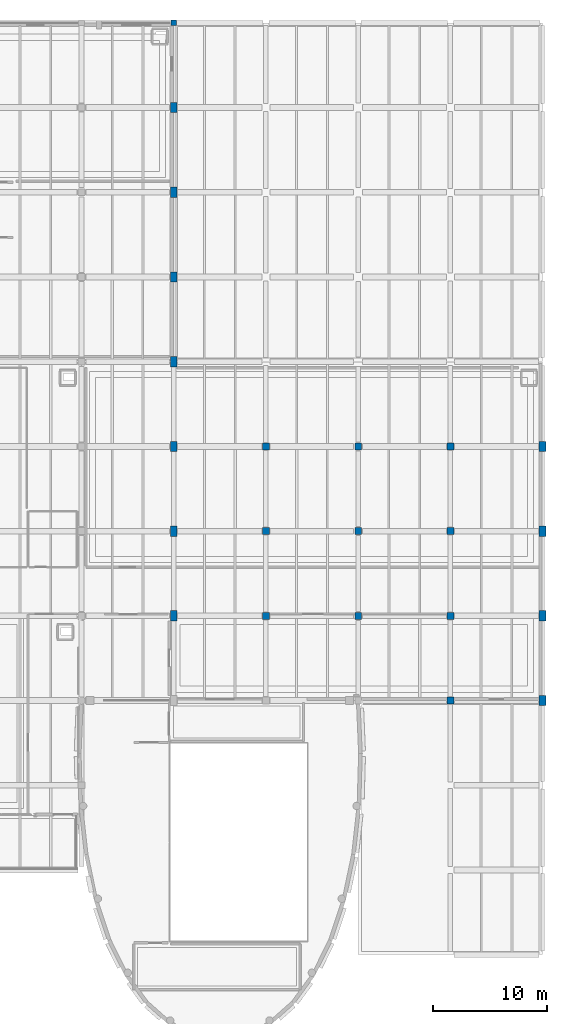
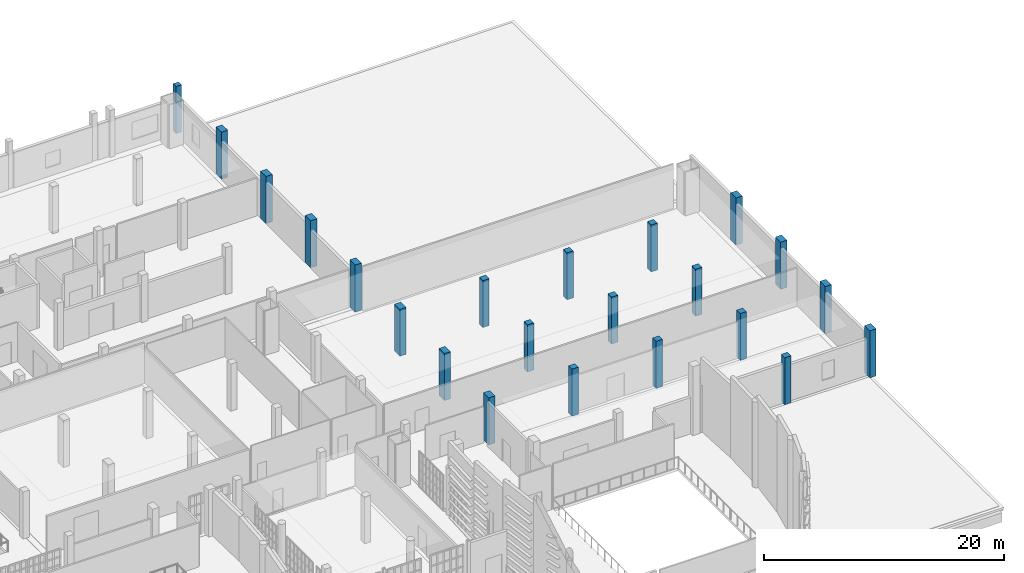
# One storey, part 8 of 104: 22 columns.
"""IFC4 building model written with IfcOpenShell, lengths in metres."""

from ifc_helpers import new_model, si_unit, direction, frame, origin, origin_2d, place, context, subcontext, project, spatial, rectangle, extrude, material, material_profile, profile_set, type_object, element, save


model = new_model("IFC4")

# Units and contexts
model_context = context("Model", 3, precision=1e-05, world=origin(), true_north=direction((0.0, 1.0)))
body_context = subcontext(model_context, "Body", "Model", "MODEL_VIEW")
ifc_project = project(units=[si_unit("LENGTHUNIT", "METRE"), si_unit("AREAUNIT", "SQUARE_METRE"), si_unit("VOLUMEUNIT", "CUBIC_METRE"), si_unit("PLANEANGLEUNIT", "RADIAN"), si_unit("MASSUNIT", "GRAM", prefix="KILO")], contexts=[model_context])

# Site, building, storey
site_placement = place(None, origin())
site = spatial("IfcSite", under=ifc_project, at=site_placement, CompositionType="ELEMENT")
building_placement = place(site_placement, origin())
building = spatial("IfcBuilding", under=site, at=building_placement, Name="Kaelora Sail Theatre", CompositionType="ELEMENT")
storey_placement = place(building_placement, frame((0.0, 0.0, 5.39990234375)))
storey = spatial("IfcBuildingStorey", under=building, at=storey_placement, Name="L01", CompositionType="ELEMENT", Elevation=5.39990234375)

# Columns
ifc_material_1 = material(Name="Concrete C40/50", Category="concrete")
ifc_material_profile_1 = material_profile(ifc_material_1, rectangle(XDim=0.5, YDim=0.5, at=origin_2d()), Name="RC-COL 500x500")
ifc_profile_set_1 = profile_set([ifc_material_profile_1], Name="Concrete C40/50")
column_type_1 = type_object("IfcColumnType", Name="STR-COL-C-RC500", PredefinedType="COLUMN", material=ifc_profile_set_1)
column_placement = place(storey_placement, frame((131.10009765625, 113.10009765625, 0.0), z_axis=(0.0, 0.0, 1.0), x_axis=(1.0, 0.0, 0.0)))
element("IfcColumn", 1, at=column_placement, inside=storey, type_object=column_type_1, Name="Column 17/P (L01)", PredefinedType="COLUMN", context=body_context, shape_type="SweptSolid", body=[
    extrude(rectangle(XDim=0.5, YDim=0.5, at=origin_2d()), origin(), (0.0, 0.0, 1.0), 4.800048828125),
])
ifc_material_2 = material(Name="Concrete C40/50", Category="concrete")
ifc_material_profile_2 = material_profile(ifc_material_2, rectangle(XDim=0.60009765625, YDim=0.60009765625, at=origin_2d()), Name="RC-COL 600x600")
ifc_profile_set_2 = profile_set([ifc_material_profile_2], Name="Concrete C40/50")
column_type_2 = type_object("IfcColumnType", Name="STR-COL-C-RC600", PredefinedType="COLUMN", material=ifc_profile_set_2)
for number, where, z_axis, x_axis, name in (
    (2, (139.199951171875, 61.02001953125, 0.0), (0.0, 0.0, 1.0), (1.0, 0.0, 0.0), "Column 18/I (L01)"),
    (3, (139.199951171875, 68.4599609375, 0.0), (0.0, 0.0, 1.0), (1.0, 0.0, 0.0), "Column 18/J (L01)"),
    (4, (139.199951171875, 75.89990234375, 0.0), (0.0, 0.0, 1.0), (1.0, 0.0, 0.0), "Column 18/K (L01)"),
    (5, (147.300048828125, 61.02001953125, 0.0), (0.0, 0.0, 1.0), (1.0, 0.0, 0.0), "Column 19/I (L01)"),
    (6, (147.300048828125, 68.4599609375, 0.0), (0.0, 0.0, 1.0), (1.0, 0.0, 0.0), "Column 19/J (L01)"),
    (7, (147.300048828125, 75.89990234375, 0.0), (0.0, 0.0, 1.0), (1.0, 0.0, 0.0), "Column 19/K (L01)"),
    (8, (155.39990234375, 53.580078125, 0.0), (0.0, 0.0, 1.0), (1.0, 0.0, 0.0), "Column 20/H (L01)"),
    (9, (155.39990234375, 61.02001953125, 0.0), (0.0, 0.0, 1.0), (1.0, 0.0, 0.0), "Column 20/I (L01)"),
    (10, (155.39990234375, 68.4599609375, 0.0), (0.0, 0.0, 1.0), (1.0, 0.0, 0.0), "Column 20/J (L01)"),
    (11, (155.39990234375, 75.89990234375, 0.0), (0.0, 0.0, 1.0), (1.0, 0.0, 0.0), "Column 20/K (L01)"),
):
    element("IfcColumn", number, at=place(storey_placement, frame(where, z_axis=z_axis, x_axis=x_axis)), inside=storey, type_object=column_type_2, Name=name, PredefinedType="COLUMN", context=body_context, shape_type="SweptSolid", body=[
        extrude(rectangle(XDim=0.60009765625, YDim=0.60009765625, at=origin_2d()), origin(), (0.0, 0.0, 1.0), 4.800048828125),
    ])
ifc_material_3 = material(Name="Concrete C45/55", Category="concrete")
ifc_material_profile_3 = material_profile(ifc_material_3, rectangle(XDim=0.60009765625, YDim=0.89990234375, at=origin_2d()), Name="RC-COL 600x900")
ifc_profile_set_3 = profile_set([ifc_material_profile_3], Name="Concrete C45/55")
column_type_3 = type_object("IfcColumnType", Name="STR-COL-C-RC6090", PredefinedType="COLUMN", material=ifc_profile_set_3)
for number, where, z_axis, x_axis, name in (
    (12, (131.10009765625, 61.02001953125, 0.0), (0.0, 0.0, 1.0), (1.0, 0.0, 0.0), "Column 17/I (L01)"),
    (13, (131.10009765625, 68.4599609375, 0.0), (0.0, 0.0, 1.0), (1.0, 0.0, 0.0), "Column 17/J (L01)"),
    (14, (131.10009765625, 75.89990234375, 0.0), (0.0, 0.0, 1.0), (1.0, 0.0, 0.0), "Column 17/K (L01)"),
    (15, (131.10009765625, 83.340087890625, 0.0), (0.0, 0.0, 1.0), (1.0, 0.0, 0.0), "Column 17/L (L01)"),
    (16, (131.10009765625, 90.780029296875, 0.0), (0.0, 0.0, 1.0), (1.0, 0.0, 0.0), "Column 17/M (L01)"),
    (17, (131.10009765625, 98.219970703125, 0.0), (0.0, 0.0, 1.0), (1.0, 0.0, 0.0), "Column 17/N (L01)"),
    (18, (131.10009765625, 105.659912109375, 0.0), (0.0, 0.0, 1.0), (1.0, 0.0, 0.0), "Column 17/O (L01)"),
    (19, (163.5, 53.580078125, 0.0), (0.0, 0.0, 1.0), (1.0, 0.0, 0.0), "Column 21/H (L01)"),
    (20, (163.5, 61.02001953125, 0.0), (0.0, 0.0, 1.0), (1.0, 0.0, 0.0), "Column 21/I (L01)"),
    (21, (163.5, 68.4599609375, 0.0), (0.0, 0.0, 1.0), (1.0, 0.0, 0.0), "Column 21/J (L01)"),
    (22, (163.5, 75.89990234375, 0.0), (0.0, 0.0, 1.0), (1.0, 0.0, 0.0), "Column 21/K (L01)"),
):
    element("IfcColumn", number, at=place(storey_placement, frame(where, z_axis=z_axis, x_axis=x_axis)), inside=storey, type_object=column_type_3, Name=name, PredefinedType="COLUMN", context=body_context, shape_type="SweptSolid", body=[
        extrude(rectangle(XDim=0.60009765625, YDim=0.89990234375, at=origin_2d()), origin(), (0.0, 0.0, 1.0), 4.800048828125),
    ])

save(model, "model.ifc")
